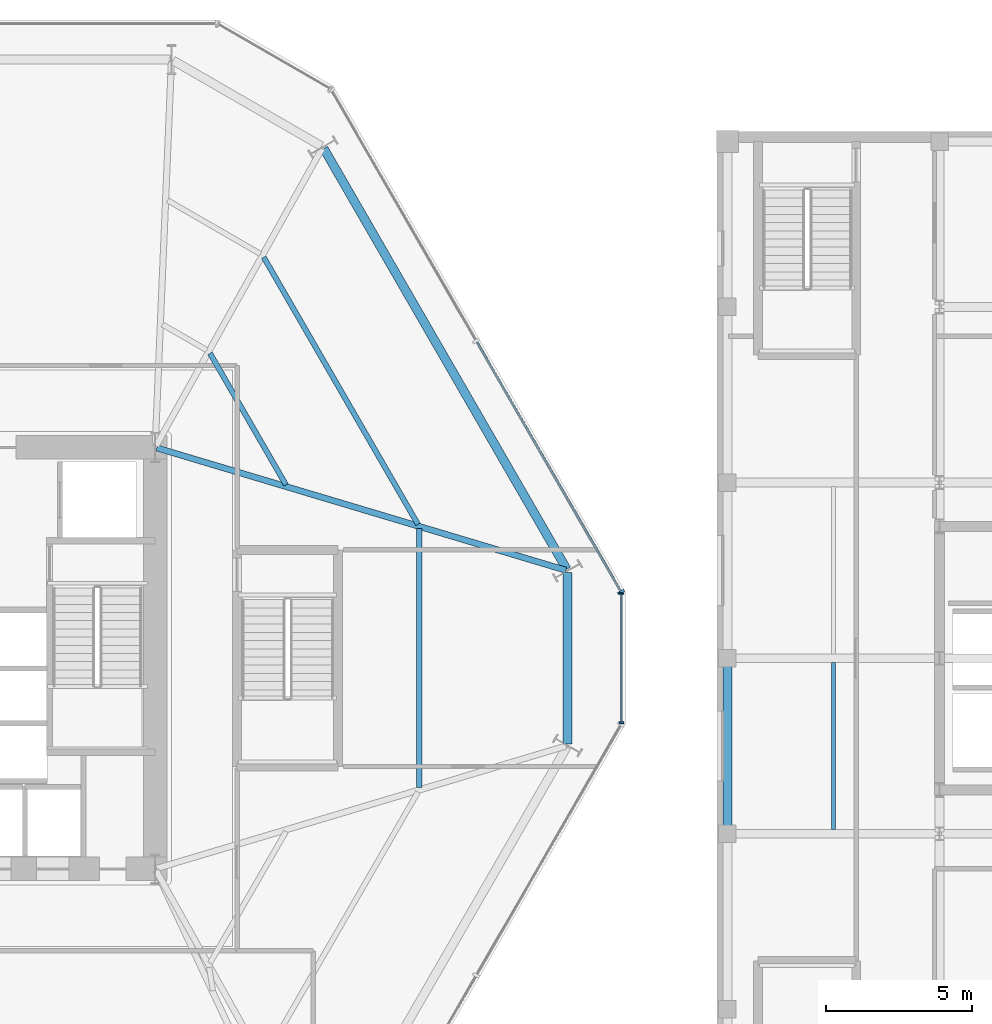
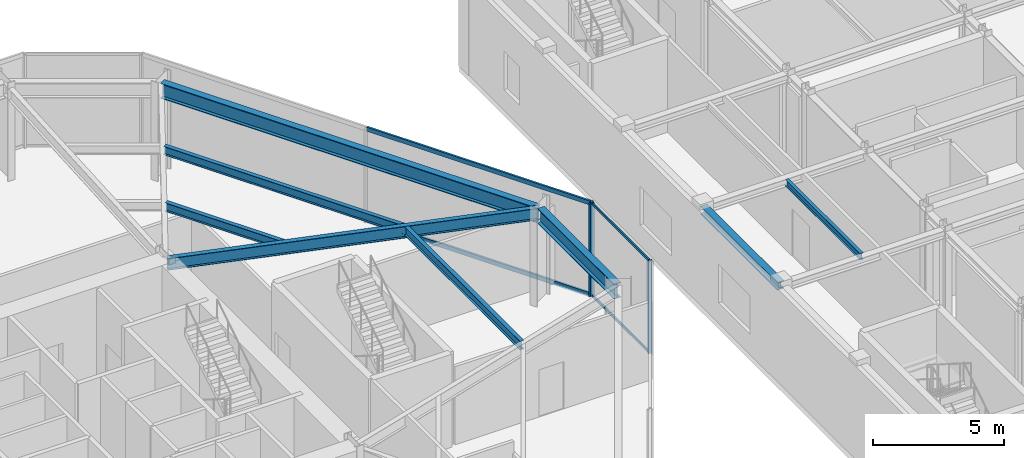
# One storey, part 10 of 23: 8 beams, 7 members, 2 elements without a shape of their own.
"""IFC4 building model written with IfcOpenShell, lengths in metres."""

from ifc_helpers import new_model, si_unit, direction, frame, origin, origin_2d, place, context, subcontext, project, spatial, rectangle, i_section, extrude, material, layer, layer_set, material_profile, profile_set, type_object, element, aggregate, save


model = new_model("IFC4")

# Units and contexts
model_context = context("Model", 3, precision=1e-05, world=origin(), true_north=direction((0.0, 1.0)))
body_context = subcontext(model_context, "Body", "Model", "MODEL_VIEW")
ifc_project = project(units=[si_unit("LENGTHUNIT", "METRE"), si_unit("AREAUNIT", "SQUARE_METRE"), si_unit("VOLUMEUNIT", "CUBIC_METRE"), si_unit("PLANEANGLEUNIT", "RADIAN"), si_unit("MASSUNIT", "GRAM", prefix="KILO")], contexts=[model_context])

# Site, building, storey
site_placement = place(None, origin())
site = spatial("IfcSite", under=ifc_project, at=site_placement, CompositionType="ELEMENT")
building_placement = place(site_placement, origin())
building = spatial("IfcBuilding", under=site, at=building_placement, Name="Kranzbogen Civic Tower", CompositionType="ELEMENT")
storey_placement = place(building_placement, frame((0.0, 0.0, 9.800048828125)))
storey = spatial("IfcBuildingStorey", under=building, at=storey_placement, Name="L02", CompositionType="ELEMENT", Elevation=9.800048828125)

# Curtain wall, members
ifc_material_1 = material(Name="Pale Anodised Aluminium", Category="aluminium")
ifc_layer_1 = layer(ifc_material_1, 0.219970703125, Name="Pale Anodised Aluminium")
ifc_layer_set_1 = layer_set([ifc_layer_1], Name="Pale Anodised Aluminium")
curtain_wall_type_1 = type_object("IfcCurtainWallType", Name="Chamfer Facet Stick Curtain Wall System CW-06", PredefinedType="USERDEFINED", material=ifc_layer_set_1)
curtain_wall_1_placement = place(storey_placement, origin())
curtain_wall_1 = element("IfcCurtainWall", 1, at=curtain_wall_1_placement, inside=storey, type_object=curtain_wall_type_1, Name="L02 curtain wall CW-L02-C6", ObjectType="STICK CURTAIN WALL", PredefinedType="USERDEFINED")
ifc_material_profile_1 = material_profile(ifc_material_1, rectangle(XDim=0.06005859375, YDim=0.159912109375, at=origin_2d()), Name="ALU-M 60x160")
ifc_profile_set_1 = profile_set([ifc_material_profile_1], Name="Pale Anodised Aluminium")
member_type_1 = type_object("IfcMemberType", Name="Curtain Wall Mullion ALU-M 60x160", PredefinedType="MULLION", material=ifc_profile_set_1)
member_1_placement = place(storey_placement, frame((48.73388671875, 22.79296875, 0.0), z_axis=(0.0, 0.0, 1.0), x_axis=(0.0, 1.0, 0.0)))
member_1 = element("IfcMember", 2, at=member_1_placement, type_object=member_type_1, Name="CW-06 mullion 1", PredefinedType="MULLION", context=body_context, shape_type="SweptSolid", body=[
    extrude(rectangle(XDim=0.06005859375, YDim=0.159912109375, at=origin_2d()), origin(), (0.0, 0.0, 1.0), 4.33984375),
])
member_2_placement = place(storey_placement, frame((48.73388671875, 27.20703125, 0.0), z_axis=(0.0, 0.0, 1.0), x_axis=(0.0, 1.0, 0.0)))
member_2 = element("IfcMember", 3, at=member_2_placement, type_object=member_type_1, Name="CW-06 mullion 2", PredefinedType="MULLION", context=body_context, shape_type="SweptSolid", body=[
    extrude(rectangle(XDim=0.06005859375, YDim=0.159912109375, at=origin_2d()), origin(), (0.0, 0.0, 1.0), 4.33984375),
])

# Curtain wall, member
ifc_layer_2 = layer(ifc_material_1, 0.219970703125, Name="Pale Anodised Aluminium")
ifc_layer_set_2 = layer_set([ifc_layer_2], Name="Pale Anodised Aluminium")
curtain_wall_type_2 = type_object("IfcCurtainWallType", Name="Podium Stick Curtain Wall System CW-01", PredefinedType="USERDEFINED", material=ifc_layer_set_2)
curtain_wall_2_placement = place(storey_placement, origin())
curtain_wall_2 = element("IfcCurtainWall", 4, at=curtain_wall_2_placement, inside=storey, type_object=curtain_wall_type_2, Name="L02 curtain wall CW-L02-F1", ObjectType="STICK CURTAIN WALL", PredefinedType="USERDEFINED")
ifc_material_profile_2 = material_profile(ifc_material_1, rectangle(XDim=0.0849609375, YDim=0.260009765625, at=origin_2d()), Name="ALU-M 85x260")
ifc_profile_set_2 = profile_set([ifc_material_profile_2], Name="Pale Anodised Aluminium")
member_type_2 = type_object("IfcMemberType", Name="Curtain Wall Mullion ALU-M 85x260", PredefinedType="MULLION", material=ifc_profile_set_2)
member_3_placement = place(storey_placement, frame((48.718994140625, 27.262939453125, 0.0), z_axis=(0.0, 0.0, 1.0), x_axis=(-0.500005767433, 0.86602207393, 0.0)))
member_3 = element("IfcMember", 5, at=member_3_placement, type_object=member_type_2, Name="CW-01 mullion 1", PredefinedType="MULLION", context=body_context, shape_type="SweptSolid", body=[
    extrude(rectangle(XDim=0.0849609375, YDim=0.260009765625, at=origin_2d()), origin(), (0.0, 0.0, 1.0), 4.33984375),
])

# Member
ifc_material_profile_3 = material_profile(ifc_material_1, rectangle(XDim=0.06005859375, YDim=0.1201171875, at=origin_2d()), Name="ALU-T 60x120")
ifc_profile_set_3 = profile_set([ifc_material_profile_3], Name="Pale Anodised Aluminium")
member_type_3 = type_object("IfcMemberType", Name="Curtain Wall Transom ALU-T 60x120", PredefinedType="USERDEFINED", material=ifc_profile_set_3)
member_4_placement = place(storey_placement, frame((48.73388671875, 22.822998046875, 0.030029296875), z_axis=(0.0, 1.0, 0.0), x_axis=(-1.0, 0.0, 0.0)))
member_4 = element("IfcMember", 6, at=member_4_placement, type_object=member_type_3, Name="CW-06 transom 1.1", ObjectType="TRANSOM", PredefinedType="USERDEFINED", context=body_context, shape_type="SweptSolid", body=[
    extrude(rectangle(XDim=0.06005859375, YDim=0.1201171875, at=origin_2d()), origin(), (0.0, 0.0, 1.0), 4.35400390625),
])

member_5_placement = place(storey_placement, frame((48.73388671875, 22.822998046875, 4.31005859375), z_axis=(0.0, 1.0, 0.0), x_axis=(-1.0, 0.0, 0.0)))
member_5 = element("IfcMember", 7, at=member_5_placement, type_object=member_type_3, Name="CW-06 transom 1.2", ObjectType="TRANSOM", PredefinedType="USERDEFINED", context=body_context, shape_type="SweptSolid", body=[
    extrude(rectangle(XDim=0.06005859375, YDim=0.1201171875, at=origin_2d()), origin(), (0.0, 0.0, 1.0), 4.35400390625),
])

aggregate(curtain_wall_1, [member_1, member_2, member_4, member_5])

ifc_material_profile_4 = material_profile(ifc_material_1, rectangle(XDim=0.0849609375, YDim=0.195068359375, at=origin_2d()), Name="ALU-T 85x195")
ifc_profile_set_4 = profile_set([ifc_material_profile_4], Name="Pale Anodised Aluminium")
member_type_4 = type_object("IfcMemberType", Name="Curtain Wall Transom ALU-T 85x195", PredefinedType="USERDEFINED", material=ifc_profile_set_4)
member_6_placement = place(storey_placement, frame((48.7041015625, 27.2890625, 0.030029296875), z_axis=(-0.500021701106, 0.866012874282, 0.0), x_axis=(-0.866012874282, -0.500021701106, 0.0)))
member_6 = element("IfcMember", 8, at=member_6_placement, type_object=member_type_4, Name="CW-01 transom 1.1", ObjectType="TRANSOM", PredefinedType="USERDEFINED", context=body_context, shape_type="SweptSolid", body=[
    extrude(rectangle(XDim=0.0849609375, YDim=0.195068359375, at=origin_2d()), origin(), (0.0, 0.0, 1.0), 9.83984375),
])

member_7_placement = place(storey_placement, frame((48.7041015625, 27.2890625, 4.31005859375), z_axis=(-0.500021701106, 0.866012874282, 0.0), x_axis=(-0.866012874282, -0.500021701106, 0.0)))
member_7 = element("IfcMember", 9, at=member_7_placement, type_object=member_type_4, Name="CW-01 transom 1.2", ObjectType="TRANSOM", PredefinedType="USERDEFINED", context=body_context, shape_type="SweptSolid", body=[
    extrude(rectangle(XDim=0.0849609375, YDim=0.195068359375, at=origin_2d()), origin(), (0.0, 0.0, 1.0), 9.83984375),
])

aggregate(curtain_wall_2, [member_3, member_6, member_7])

# Beams
ifc_material_2 = material(Name="Steel S355", Category="steel")
ifc_material_profile_5 = material_profile(ifc_material_2, i_section(OverallWidth=0.300048828125, OverallDepth=0.360107421875, WebThickness=0.012451171875, FlangeThickness=0.0224609375, at=origin_2d()), Name="HEB 360")
ifc_profile_set_5 = profile_set([ifc_material_profile_5], Name="Steel S355")
beam_type_1 = type_object("IfcBeamType", Name="Health Centre Primary Floor Beam HEB 360", PredefinedType="BEAM", material=ifc_profile_set_5)
beam_1_placement = place(storey_placement, frame((52.35009765625, 19.06005859375, 4.159912109375), z_axis=(0.0, 1.0, 0.0), x_axis=(-1.0, 0.0, 0.0)))
element("IfcBeam", 10, at=beam_1_placement, inside=storey, type_object=beam_type_1, Name="L02 Health Centre Y girder 1-3", PredefinedType="BEAM", context=body_context, shape_type="SweptSolid", body=[
    extrude(i_section(OverallWidth=0.300048828125, OverallDepth=0.360107421875, WebThickness=0.012451171875, FlangeThickness=0.0224609375, at=origin_2d()), origin(), (0.0, 0.0, 1.0), 5.8798828125),
])
ifc_material_profile_6 = material_profile(ifc_material_2, i_section(OverallWidth=0.14990234375, OverallDepth=0.300048828125, WebThickness=0.007080078125, FlangeThickness=0.0107421875, at=origin_2d()), Name="IPE 300")
ifc_profile_set_6 = profile_set([ifc_material_profile_6], Name="Steel S355")
beam_type_2 = type_object("IfcBeamType", Name="Health Centre Secondary Joist IPE 300", PredefinedType="JOIST", material=ifc_profile_set_6)
beam_2_placement = place(storey_placement, frame((55.97509765625, 19.139892578125, 4.18994140625), z_axis=(0.0, 1.0, 0.0), x_axis=(-1.0, 0.0, 0.0)))
element("IfcBeam", 11, at=beam_2_placement, inside=storey, type_object=beam_type_2, Name="L02 Health Centre secondary joist 1-3", PredefinedType="JOIST", context=body_context, shape_type="SweptSolid", body=[
    extrude(i_section(OverallWidth=0.14990234375, OverallDepth=0.300048828125, WebThickness=0.007080078125, FlangeThickness=0.0107421875, at=origin_2d()), origin(), (0.0, 0.0, 1.0), 5.72021484375),
])
ifc_material_profile_7 = material_profile(ifc_material_2, i_section(OverallWidth=0.300048828125, OverallDepth=0.699951171875, WebThickness=0.01708984375, FlangeThickness=0.031982421875, at=origin_2d()), Name="HEB 700")
ifc_profile_set_7 = profile_set([ifc_material_profile_7], Name="Steel S355")
beam_type_3 = type_object("IfcBeamType", Name="Perimeter Tube Spandrel Beam HEB 700", PredefinedType="SPANDREL", material=ifc_profile_set_7)
beam_3_placement = place(storey_placement, frame((46.889892578125, 22.073974609375, 3.989990234375), z_axis=(0.0, 1.0, 0.0), x_axis=(-1.0, 0.0, 0.0)))
element("IfcBeam", 12, at=beam_3_placement, inside=storey, type_object=beam_type_3, Name="L02 perimeter spandrel beam 06", PredefinedType="SPANDREL", context=body_context, shape_type="SweptSolid", body=[
    extrude(i_section(OverallWidth=0.300048828125, OverallDepth=0.699951171875, WebThickness=0.01708984375, FlangeThickness=0.031982421875, at=origin_2d()), origin(), (0.0, 0.0, 1.0), 5.85205078125),
])
beam_4_placement = place(storey_placement, frame((46.860107421875, 28.0380859375, 3.989990234375), z_axis=(-0.500010210561, 0.866019508634, 0.0), x_axis=(-0.866019508634, -0.500010210561, 0.0)))
element("IfcBeam", 13, at=beam_4_placement, inside=storey, type_object=beam_type_3, Name="L02 perimeter spandrel beam 07", PredefinedType="SPANDREL", context=body_context, shape_type="SweptSolid", body=[
    extrude(i_section(OverallWidth=0.300048828125, OverallDepth=0.699951171875, WebThickness=0.01708984375, FlangeThickness=0.031982421875, at=origin_2d()), origin(), (0.0, 0.0, 1.0), 16.597900390625),
])
ifc_material_profile_8 = material_profile(ifc_material_2, i_section(OverallWidth=0.2099609375, OverallDepth=0.550048828125, WebThickness=0.010986328125, FlangeThickness=0.01708984375, at=origin_2d()), Name="IPE 550")
ifc_profile_set_8 = profile_set([ifc_material_profile_8], Name="Steel S355")
beam_type_4 = type_object("IfcBeamType", Name="Radial Tower Floor Girder IPE 550", PredefinedType="BEAM", material=ifc_profile_set_8)
beam_5_placement = place(storey_placement, frame((46.8330078125, 28.0029296875, 4.06494140625), z_axis=(-0.958064557048, 0.286552446385, 0.0), x_axis=(-0.286552446385, -0.958064557048, 0.0)))
element("IfcBeam", 14, at=beam_5_placement, inside=storey, type_object=beam_type_4, Name="L02 radial floor girder 07", PredefinedType="BEAM", context=body_context, shape_type="SweptSolid", body=[
    extrude(i_section(OverallWidth=0.2099609375, OverallDepth=0.550048828125, WebThickness=0.010986328125, FlangeThickness=0.01708984375, at=origin_2d()), origin(), (0.0, 0.0, 1.0), 14.587890625),
])
ifc_material_profile_9 = material_profile(ifc_material_2, i_section(OverallWidth=0.179931640625, OverallDepth=0.39990234375, WebThickness=0.008544921875, FlangeThickness=0.013427734375, at=origin_2d()), Name="IPE 400")
ifc_profile_set_9 = profile_set([ifc_material_profile_9], Name="Steel S355")
beam_type_5 = type_object("IfcBeamType", Name="Secondary Composite Floor Joist IPE 400", PredefinedType="JOIST", material=ifc_profile_set_9)
beam_6_placement = place(storey_placement, frame((41.818115234375, 20.576904296875, 4.139892578125), z_axis=(0.0, 1.0, 0.0), x_axis=(-1.0, 0.0, 0.0)))
element("IfcBeam", 15, at=beam_6_placement, inside=storey, type_object=beam_type_5, Name="L02 secondary floor joist 1.06", PredefinedType="JOIST", context=body_context, shape_type="SweptSolid", body=[
    extrude(i_section(OverallWidth=0.179931640625, OverallDepth=0.39990234375, WebThickness=0.008544921875, FlangeThickness=0.013427734375, at=origin_2d()), origin(), (0.0, 0.0, 1.0), 8.84619140625),
])
beam_7_placement = place(storey_placement, frame((41.778076171875, 29.572021484375, 4.139892578125), z_axis=(-0.500000488781, 0.866025121586, 0.0), x_axis=(-0.866025121586, -0.500000488781, 0.0)))
element("IfcBeam", 16, at=beam_7_placement, inside=storey, type_object=beam_type_5, Name="L02 secondary floor joist 1.07", PredefinedType="JOIST", context=body_context, shape_type="SweptSolid", body=[
    extrude(i_section(OverallWidth=0.179931640625, OverallDepth=0.39990234375, WebThickness=0.008544921875, FlangeThickness=0.013427734375, at=origin_2d()), origin(), (0.0, 0.0, 1.0), 10.5400390625),
])
beam_8_placement = place(storey_placement, frame((37.26904296875, 30.9208984375, 4.139892578125), z_axis=(-0.500040090343, 0.866002256377, 0.0), x_axis=(-0.866002256377, -0.500040090343, 0.0)))
element("IfcBeam", 17, at=beam_8_placement, inside=storey, type_object=beam_type_5, Name="L02 secondary floor joist 2.07", PredefinedType="JOIST", context=body_context, shape_type="SweptSolid", body=[
    extrude(i_section(OverallWidth=0.179931640625, OverallDepth=0.39990234375, WebThickness=0.008544921875, FlangeThickness=0.013427734375, at=origin_2d()), origin(), (0.0, 0.0, 1.0), 5.189453125),
])

save(model, "model.ifc")
